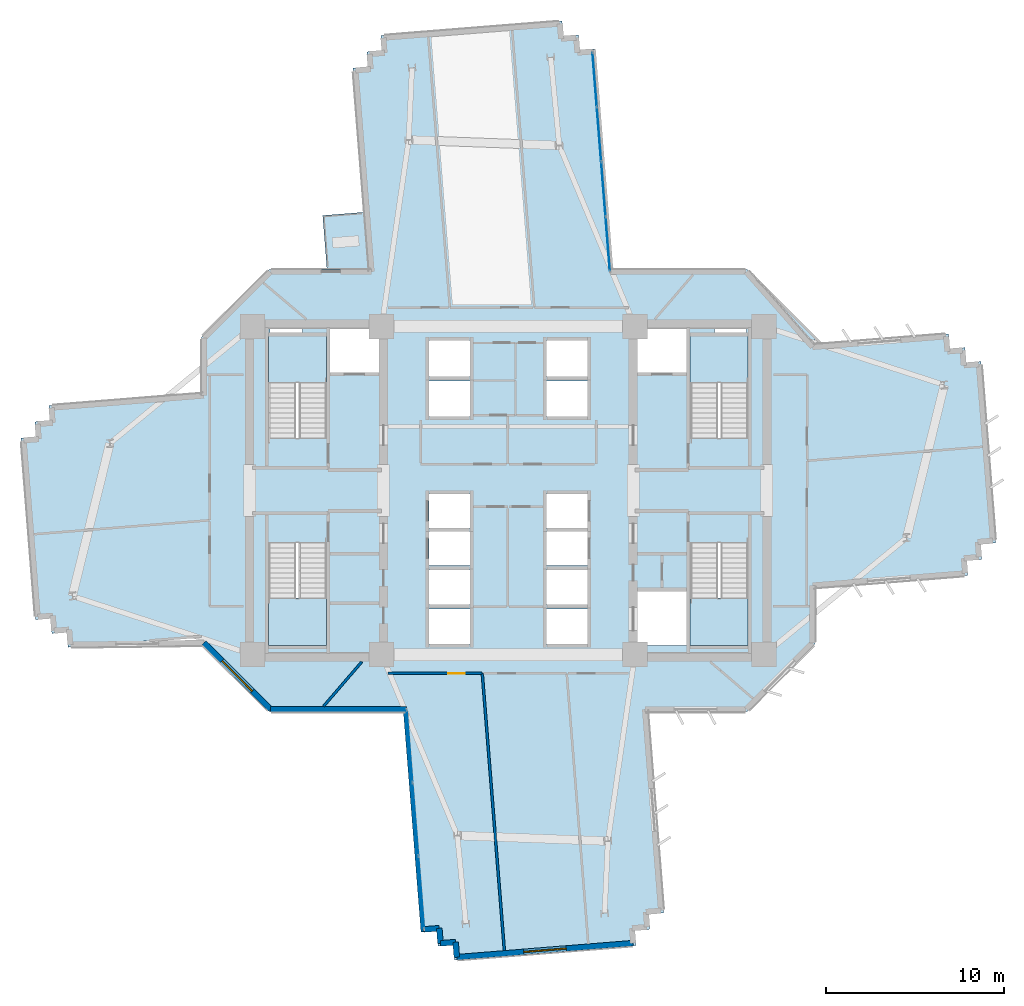
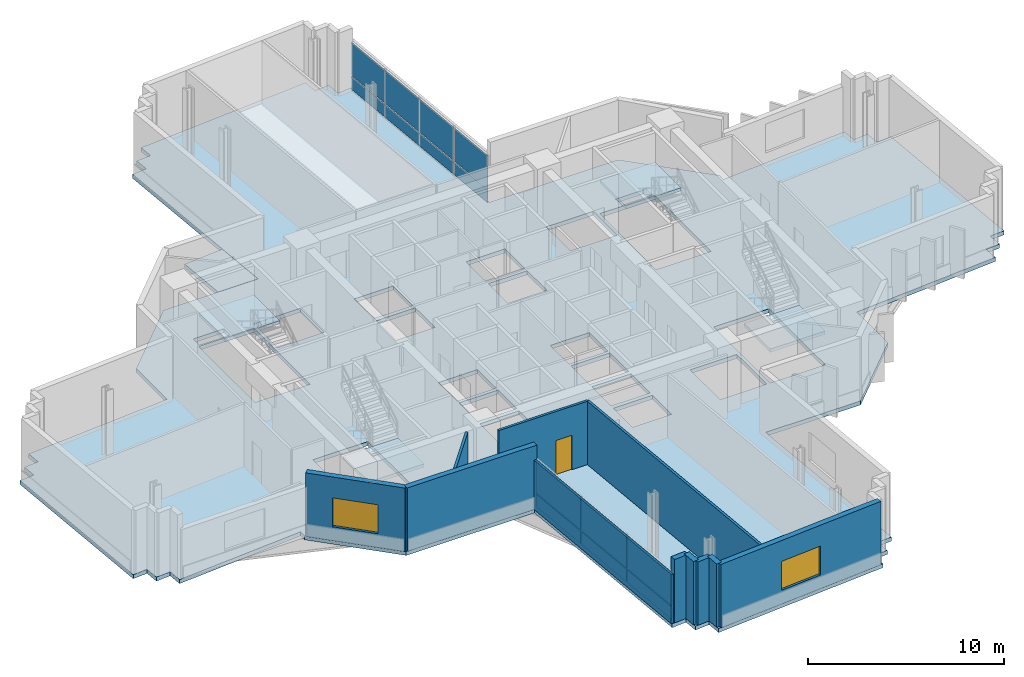
# One storey, part 5 of 15: 14 plates, 11 walls, 6 slabs, 2 windows, 1 door, 3 openings, 6 elements without a shape of their own.
"""IFC4 building model written with IfcOpenShell, lengths in metres."""

from ifc_helpers import new_model, si_unit, direction, frame, frame_2d, origin, origin_2d, place, context, subcontext, project, spatial, polyline, rectangle, outline, extrude, source, transform, mapped, material, layer, layer_set, type_object, element, fill, aggregate, save


model = new_model("IFC4")

# Units and contexts
model_context = context("Model", 3, precision=1e-05, world=origin(), true_north=direction((0.0, 1.0)))
body_context = subcontext(model_context, "Body", "Model", "MODEL_VIEW")
ifc_project = project(units=[si_unit("LENGTHUNIT", "METRE"), si_unit("AREAUNIT", "SQUARE_METRE"), si_unit("VOLUMEUNIT", "CUBIC_METRE"), si_unit("PLANEANGLEUNIT", "RADIAN"), si_unit("MASSUNIT", "GRAM", prefix="KILO")], contexts=[model_context])

# Site, building, storey
site_placement = place(None, origin())
site = spatial("IfcSite", under=ifc_project, at=site_placement, CompositionType="ELEMENT")
building_placement = place(site_placement, origin())
building = spatial("IfcBuilding", under=site, at=building_placement, Name="Zahravan Cultural Tower", CompositionType="ELEMENT")
storey_placement = place(building_placement, frame((0.0, 0.0, 87.89990234375)))
storey = spatial("IfcBuildingStorey", under=building, at=storey_placement, Name="L19", CompositionType="ELEMENT", Elevation=87.89990234375)

# Stair, slab
ifc_material_1 = material(Name="Concrete C45/55", Category="concrete")
stair_type = type_object("IfcStairType", Name="STR-DL-1550-420", PredefinedType="HALF_TURN_STAIR", material=ifc_material_1)
stair_1_placement = place(storey_placement, origin())
stair_1 = element("IfcStair", 1, at=stair_1_placement, inside=storey, type_object=stair_type, Name="L19 West Core North Exit Stair ST-W1", PredefinedType="HALF_TURN_STAIR")
ifc_layer_1 = layer(ifc_material_1, 0.199951171875)
ifc_layer_set_1 = layer_set([ifc_layer_1], Name="Concrete C45/55")
slab_type_1 = type_object("IfcSlabType", Name="SL-STAIR-LND200", PredefinedType="LANDING", material=ifc_layer_set_1)
slab_1_placement = place(storey_placement, frame((0.0, 0.0, 1.900146484375)))
slab_1 = element("IfcSlab", 2, at=slab_1_placement, type_object=slab_type_1, Name="ST-W1 landing 1", PredefinedType="LANDING", context=body_context, shape_type="SweptSolid", body=[
    extrude(outline(polyline([(25.800048828125, 33.030029296875), (25.800048828125, 35.699951171875), (22.550048828125, 35.699951171875), (22.550048828125, 33.030029296875), (25.800048828125, 33.030029296875)])), origin(), (0.0, 0.0, 1.0), 0.199951171875),
])
aggregate(stair_1, [slab_1])

stair_2_placement = place(storey_placement, origin())
stair_2 = element("IfcStair", 3, at=stair_2_placement, inside=storey, type_object=stair_type, Name="L19 West Core South Exit Stair ST-W2", PredefinedType="HALF_TURN_STAIR")
slab_2_placement = place(storey_placement, frame((0.0, 0.0, 1.900146484375)))
slab_2 = element("IfcSlab", 4, at=slab_2_placement, type_object=slab_type_1, Name="ST-W2 landing 1", PredefinedType="LANDING", context=body_context, shape_type="SweptSolid", body=[
    extrude(outline(polyline([(22.550048828125, 20.969970703125), (22.550048828125, 18.300048828125), (25.800048828125, 18.300048828125), (25.800048828125, 20.969970703125), (22.550048828125, 20.969970703125)])), origin(), (0.0, 0.0, 1.0), 0.199951171875),
])
aggregate(stair_2, [slab_2])

stair_3_placement = place(storey_placement, origin())
stair_3 = element("IfcStair", 5, at=stair_3_placement, inside=storey, type_object=stair_type, Name="L19 East Core North Exit Stair ST-E1", PredefinedType="HALF_TURN_STAIR")
slab_3_placement = place(storey_placement, frame((0.0, 0.0, 1.900146484375)))
slab_3 = element("IfcSlab", 6, at=slab_3_placement, type_object=slab_type_1, Name="ST-E1 landing 1", PredefinedType="LANDING", context=body_context, shape_type="SweptSolid", body=[
    extrude(outline(polyline([(49.449951171875, 33.030029296875), (49.449951171875, 35.699951171875), (46.199951171875, 35.699951171875), (46.199951171875, 33.030029296875), (49.449951171875, 33.030029296875)])), origin(), (0.0, 0.0, 1.0), 0.199951171875),
])
aggregate(stair_3, [slab_3])

stair_4_placement = place(storey_placement, origin())
stair_4 = element("IfcStair", 7, at=stair_4_placement, inside=storey, type_object=stair_type, Name="L19 East Core South Exit Stair ST-E2", PredefinedType="HALF_TURN_STAIR")
slab_4_placement = place(storey_placement, frame((0.0, 0.0, 1.900146484375)))
slab_4 = element("IfcSlab", 8, at=slab_4_placement, type_object=slab_type_1, Name="ST-E2 landing 1", PredefinedType="LANDING", context=body_context, shape_type="SweptSolid", body=[
    extrude(outline(polyline([(46.199951171875, 20.969970703125), (46.199951171875, 18.300048828125), (49.449951171875, 18.300048828125), (49.449951171875, 20.969970703125), (46.199951171875, 20.969970703125)])), origin(), (0.0, 0.0, 1.0), 0.199951171875),
])
aggregate(stair_4, [slab_4])

# Slabs
ifc_material_2 = material(Name="Concrete C40/50", Category="concrete")
ifc_layer_2 = layer(ifc_material_2, 0.239990234375)
ifc_layer_set_2 = layer_set([ifc_layer_2], Name="Concrete C40/50")
slab_type_2 = type_object("IfcSlabType", Name="SL-TERR-240", PredefinedType="FLOOR", material=ifc_layer_set_2)
slab_5_placement = place(storey_placement, frame((0.0, 0.0, -0.239990234375)))
element("IfcSlab", 9, at=slab_5_placement, inside=storey, type_object=slab_type_2, Name="L19 Planted Sculpture Terrace NW", PredefinedType="FLOOR", context=body_context, shape_type="SweptSolid", body=[
    extrude(outline(polyline([(25.591064453125, 42.42138671875), (25.83154296875, 39.405029296875), (28.18408203125, 39.405029296875), (27.9287109375, 42.607666015625), (25.591064453125, 42.42138671875)])), origin(), (0.0, 0.0, 1.0), 0.239990234375),
])
ifc_layer_3 = layer(ifc_material_2, 0.25)
ifc_layer_set_3 = layer_set([ifc_layer_3], Name="Concrete C40/50")
slab_type_3 = type_object("IfcSlabType", Name="SL-TYP-250", PredefinedType="FLOOR", material=ifc_layer_set_3)
slab_6_placement = place(storey_placement, frame((0.0, 0.0, -0.25)))
element("IfcSlab", 10, at=slab_6_placement, inside=storey, type_object=slab_type_3, Name="L19 Structural Floor Slab", PredefinedType="FLOOR", context=body_context, shape_type="SweptSolid", body=[
    extrude(outline(polyline([(53.199951171875, 35.193359375), (53.199951171875, 35.60009765625), (49.39990234375, 39.39990234375), (41.832763671875, 39.39990234375), (40.8466796875, 51.763671875), (39.999267578125, 51.696044921875), (39.931640625, 52.54345703125), (39.08447265625, 52.475830078125), (39.016845703125, 53.3232421875), (28.84912109375, 52.51220703125), (28.91650390625, 51.664794921875), (28.0693359375, 51.597412109375), (28.136962890625, 50.75), (27.28955078125, 50.6826171875), (28.189453125, 39.39990234375), (22.60009765625, 39.39990234375), (18.800048828125, 35.60009765625), (18.800048828125, 32.44970703125), (10.239501953125, 31.76708984375), (10.306884765625, 30.919677734375), (9.459716796875, 30.852294921875), (9.52734375, 30.0048828125), (8.679931640625, 29.937255859375), (9.490966796875, 19.76953125), (10.338134765625, 19.837158203125), (10.40576171875, 18.98974609375), (11.253173828125, 19.057373046875), (11.32080078125, 18.210205078125), (18.800048828125, 18.806640625), (18.800048828125, 18.39990234375), (22.60009765625, 14.60009765625), (30.167236328125, 14.60009765625), (31.1533203125, 2.236328125), (32.000732421875, 2.303955078125), (32.068359375, 1.45654296875), (32.91552734375, 1.524169921875), (32.983154296875, 0.6767578125), (43.15087890625, 1.48779296875), (43.08349609375, 2.335205078125), (43.9306640625, 2.402587890625), (43.863037109375, 3.25), (44.71044921875, 3.3173828125), (43.810546875, 14.60009765625), (49.39990234375, 14.60009765625), (53.199951171875, 18.39990234375), (53.199951171875, 21.55029296875), (61.760498046875, 22.23291015625), (61.693115234375, 23.080322265625), (62.540283203125, 23.147705078125), (62.47265625, 23.9951171875), (63.320068359375, 24.062744140625), (62.509033203125, 34.23046875), (61.661865234375, 34.162841796875), (61.59423828125, 35.01025390625), (60.746826171875, 34.942626953125), (60.67919921875, 35.789794921875), (53.199951171875, 35.193359375)]), holes=[polyline([(22.550048828125, 29.949951171875), (22.550048828125, 35.699951171875), (25.800048828125, 35.699951171875), (25.800048828125, 29.949951171875), (22.550048828125, 29.949951171875)]), polyline([(22.550048828125, 18.300048828125), (22.550048828125, 24.050048828125), (25.800048828125, 24.050048828125), (25.800048828125, 18.300048828125), (22.550048828125, 18.300048828125)]), polyline([(46.199951171875, 29.949951171875), (46.199951171875, 35.699951171875), (49.449951171875, 35.699951171875), (49.449951171875, 29.949951171875), (46.199951171875, 29.949951171875)]), polyline([(46.199951171875, 18.300048828125), (46.199951171875, 24.050048828125), (49.449951171875, 24.050048828125), (49.449951171875, 18.300048828125), (46.199951171875, 18.300048828125)]), polyline([(26.0, 33.60009765625), (26.0, 36.050048828125), (28.75, 36.050048828125), (28.75, 33.60009765625), (26.0, 33.60009765625)]), polyline([(43.25, 33.60009765625), (43.25, 36.050048828125), (46.0, 36.050048828125), (46.0, 33.60009765625), (43.25, 33.60009765625)]), polyline([(43.25, 18.300048828125), (43.25, 21.35009765625), (46.0, 21.35009765625), (46.0, 18.300048828125), (43.25, 18.300048828125)]), polyline([(31.550048828125, 33.39990234375), (31.550048828125, 35.39990234375), (33.85009765625, 35.39990234375), (33.85009765625, 33.39990234375), (31.550048828125, 33.39990234375)]), polyline([(31.550048828125, 31.14990234375), (31.550048828125, 33.14990234375), (33.85009765625, 33.14990234375), (33.85009765625, 31.14990234375), (31.550048828125, 31.14990234375)]), polyline([(38.14990234375, 33.39990234375), (38.14990234375, 35.39990234375), (40.449951171875, 35.39990234375), (40.449951171875, 33.39990234375), (38.14990234375, 33.39990234375)]), polyline([(38.14990234375, 31.14990234375), (38.14990234375, 33.14990234375), (40.449951171875, 33.14990234375), (40.449951171875, 31.14990234375), (38.14990234375, 31.14990234375)]), polyline([(31.550048828125, 20.60009765625), (31.550048828125, 22.550048828125), (33.85009765625, 22.550048828125), (33.85009765625, 20.60009765625), (31.550048828125, 20.60009765625)]), polyline([(31.550048828125, 18.39990234375), (31.550048828125, 20.35009765625), (33.85009765625, 20.35009765625), (33.85009765625, 18.39990234375), (31.550048828125, 18.39990234375)]), polyline([(38.14990234375, 20.60009765625), (38.14990234375, 22.550048828125), (40.449951171875, 22.550048828125), (40.449951171875, 20.60009765625), (38.14990234375, 20.60009765625)]), polyline([(38.14990234375, 18.39990234375), (38.14990234375, 20.35009765625), (40.449951171875, 20.35009765625), (40.449951171875, 18.39990234375), (38.14990234375, 18.39990234375)]), polyline([(31.550048828125, 24.89990234375), (31.550048828125, 26.800048828125), (33.85009765625, 26.800048828125), (33.85009765625, 24.89990234375), (31.550048828125, 24.89990234375)]), polyline([(31.550048828125, 22.800048828125), (31.550048828125, 24.699951171875), (33.85009765625, 24.699951171875), (33.85009765625, 22.800048828125), (31.550048828125, 22.800048828125)]), polyline([(38.14990234375, 24.89990234375), (38.14990234375, 26.800048828125), (40.449951171875, 26.800048828125), (40.449951171875, 24.89990234375), (38.14990234375, 24.89990234375)]), polyline([(38.14990234375, 22.800048828125), (38.14990234375, 24.699951171875), (40.449951171875, 24.699951171875), (40.449951171875, 22.800048828125), (38.14990234375, 22.800048828125)]), polyline([(22.64990234375, 35.800048828125), (22.64990234375, 36.419921875), (24.449951171875, 36.419921875), (24.449951171875, 35.800048828125), (22.64990234375, 35.800048828125)]), polyline([(47.550048828125, 35.800048828125), (47.550048828125, 36.419921875), (49.35009765625, 36.419921875), (49.35009765625, 35.800048828125), (47.550048828125, 35.800048828125)])]), origin(), (0.0, 0.0, 1.0), 0.25),
])

# Curtain wall, plates
ifc_material_3 = material(Name="Anodised bronze-aluminium mullion", Category="aluminium")
ifc_layer_4 = layer(ifc_material_3, 0.199951171875)
ifc_layer_set_4 = layer_set([ifc_layer_4], Name="Anodised bronze-aluminium mullion")
curtain_wall_type_1 = type_object("IfcCurtainWallType", Name="CW-SYS-2", PredefinedType="USERDEFINED", material=ifc_layer_set_4)
curtain_wall_1_placement = place(storey_placement, origin())
curtain_wall_1 = element("IfcCurtainWall", 11, at=curtain_wall_1_placement, inside=storey, type_object=curtain_wall_type_1, Name="L19 Recessed Curtain Wall CW-2.1", ObjectType="RECESSED GLAZING", PredefinedType="USERDEFINED")
ifc_material_4 = material(Name="Low-E solar-control double glazing", Category="glass")
ifc_layer_5 = layer(ifc_material_4, 0.030029296875)
ifc_layer_set_5 = layer_set([ifc_layer_5], Name="Low-E solar-control double glazing")
plate_type_1 = type_object("IfcPlateType", Name="CWP-CW-2", PredefinedType="CURTAIN_PANEL", material=ifc_layer_set_5)
shared_shape_1 = source(origin(), body_context, "Body", "SweptSolid", [
    extrude(rectangle(XDim=4.018310546875, YDim=0.030029296875, at=origin_2d()), origin(), (0.0, 0.0, 1.0), 0.78759765625),
])
plate_1_placement = place(storey_placement, frame((31.1162109375, 4.464599609375, 0.074951171875), z_axis=(0.0, 0.0, 1.0), x_axis=(-0.079501464817, 0.996834749139, 0.0)))
plate_1 = element("IfcPlate", 12, at=plate_1_placement, type_object=plate_type_1, Name="CW-2 panel 1.1", PredefinedType="CURTAIN_PANEL", context=body_context, shape_type="MappedRepresentation", body=[
    mapped(shared_shape_1, transform((0.0, 0.0, 0.0), x_axis=(1.0, 0.0, 0.0), y_axis=(0.0, 1.0, 0.0), z_axis=(0.0, 0.0, 1.0), scale=1.0)),
])
plate_2_placement = place(storey_placement, frame((30.46240234375, 12.66259765625, 0.074951171875), z_axis=(0.0, 0.0, 1.0), x_axis=(-0.079501464817, 0.996834749139, 0.0)))
plate_2 = element("IfcPlate", 13, at=plate_2_placement, type_object=plate_type_1, Name="CW-2 panel 3.1", PredefinedType="CURTAIN_PANEL", context=body_context, shape_type="MappedRepresentation", body=[
    mapped(shared_shape_1, transform((0.0, 0.0, 0.0), x_axis=(1.0, 0.0, 0.0), y_axis=(0.0, 1.0, 0.0), z_axis=(0.0, 0.0, 1.0), scale=1.0)),
])
shared_shape_2 = source(origin(), body_context, "Body", "SweptSolid", [
    extrude(rectangle(XDim=4.018310546875, YDim=0.030029296875, at=origin_2d()), origin(), (0.0, 0.0, 1.0), 2.0576171875),
])
plate_3_placement = place(storey_placement, frame((31.1162109375, 4.464599609375, 0.9375), z_axis=(0.0, 0.0, 1.0), x_axis=(-0.079501464817, 0.996834749139, 0.0)))
plate_3 = element("IfcPlate", 14, at=plate_3_placement, type_object=plate_type_1, Name="CW-2 panel 1.2", PredefinedType="CURTAIN_PANEL", context=body_context, shape_type="MappedRepresentation", body=[
    mapped(shared_shape_2, transform((0.0, 0.0, 0.0), x_axis=(1.0, 0.0, 0.0), y_axis=(0.0, 1.0, 0.0), z_axis=(0.0, 0.0, 1.0), scale=1.0)),
])
plate_4_placement = place(storey_placement, frame((30.46240234375, 12.66259765625, 0.9375), z_axis=(0.0, 0.0, 1.0), x_axis=(-0.079501464817, 0.996834749139, 0.0)))
plate_4 = element("IfcPlate", 15, at=plate_4_placement, type_object=plate_type_1, Name="CW-2 panel 3.2", PredefinedType="CURTAIN_PANEL", context=body_context, shape_type="MappedRepresentation", body=[
    mapped(shared_shape_2, transform((0.0, 0.0, 0.0), x_axis=(1.0, 0.0, 0.0), y_axis=(0.0, 1.0, 0.0), z_axis=(0.0, 0.0, 1.0), scale=1.0)),
])
shared_shape_3 = source(origin(), body_context, "Body", "SweptSolid", [
    extrude(rectangle(XDim=4.0556640625, YDim=0.030029296875, at=origin_2d()), origin(), (0.0, 0.0, 1.0), 0.78759765625),
])
plate_5_placement = place(storey_placement, frame((30.789306640625, 8.5634765625, 0.074951171875), z_axis=(0.0, 0.0, 1.0), x_axis=(-0.079501464817, 0.996834749139, 0.0)))
plate_5 = element("IfcPlate", 16, at=plate_5_placement, type_object=plate_type_1, Name="CW-2 panel 2.1", PredefinedType="CURTAIN_PANEL", context=body_context, shape_type="MappedRepresentation", body=[
    mapped(shared_shape_3, transform((0.0, 0.0, 0.0), x_axis=(1.0, 0.0, 0.0), y_axis=(0.0, 1.0, 0.0), z_axis=(0.0, 0.0, 1.0), scale=1.0)),
])
shared_shape_4 = source(origin(), body_context, "Body", "SweptSolid", [
    extrude(rectangle(XDim=4.0556640625, YDim=0.030029296875, at=origin_2d()), origin(), (0.0, 0.0, 1.0), 2.0576171875),
])
plate_6_placement = place(storey_placement, frame((30.789306640625, 8.5634765625, 0.9375), z_axis=(0.0, 0.0, 1.0), x_axis=(-0.079501464817, 0.996834749139, 0.0)))
plate_6 = element("IfcPlate", 17, at=plate_6_placement, type_object=plate_type_1, Name="CW-2 panel 2.2", PredefinedType="CURTAIN_PANEL", context=body_context, shape_type="MappedRepresentation", body=[
    mapped(shared_shape_4, transform((0.0, 0.0, 0.0), x_axis=(1.0, 0.0, 0.0), y_axis=(0.0, 1.0, 0.0), z_axis=(0.0, 0.0, 1.0), scale=1.0)),
])
aggregate(curtain_wall_1, [plate_1, plate_3, plate_5, plate_6, plate_2, plate_4])

ifc_layer_6 = layer(ifc_material_3, 0.179931640625)
ifc_layer_set_6 = layer_set([ifc_layer_6], Name="Anodised bronze-aluminium mullion")
curtain_wall_type_2 = type_object("IfcCurtainWallType", Name="CW-SYS-3", PredefinedType="USERDEFINED", material=ifc_layer_set_6)
curtain_wall_2_placement = place(storey_placement, origin())
curtain_wall_2 = element("IfcCurtainWall", 18, at=curtain_wall_2_placement, inside=storey, type_object=curtain_wall_type_2, Name="L19 Recessed Curtain Wall CW-3.2", ObjectType="RECESSED GLAZING", PredefinedType="USERDEFINED")
ifc_layer_7 = layer(ifc_material_4, 0.028076171875)
ifc_layer_set_7 = layer_set([ifc_layer_7], Name="Low-E solar-control double glazing")
plate_type_2 = type_object("IfcPlateType", Name="CWP-CW-3", PredefinedType="CURTAIN_PANEL", material=ifc_layer_set_7)
shared_shape_5 = source(origin(), body_context, "Body", "SweptSolid", [
    extrude(rectangle(XDim=2.9931640625, YDim=0.028076171875, at=origin_2d()), origin(), (0.0, 0.0, 1.0), 0.794921875),
])
plate_7_placement = place(storey_placement, frame((40.8427734375, 50.051513671875, 0.070068359375), z_axis=(0.0, 0.0, 1.0), x_axis=(0.079501464817, -0.996834749139, 0.0)))
plate_7 = element("IfcPlate", 19, at=plate_7_placement, type_object=plate_type_2, Name="CW-3 panel 1.1", PredefinedType="CURTAIN_PANEL", context=body_context, shape_type="MappedRepresentation", body=[
    mapped(shared_shape_5, transform((0.0, 0.0, 0.0), x_axis=(1.0, 0.0, 0.0), y_axis=(0.0, 1.0, 0.0), z_axis=(0.0, 0.0, 1.0), scale=1.0)),
])
plate_8_placement = place(storey_placement, frame((41.578857421875, 40.821533203125, 0.070068359375), z_axis=(0.0, 0.0, 1.0), x_axis=(0.079501464817, -0.996834749139, 0.0)))
plate_8 = element("IfcPlate", 20, at=plate_8_placement, type_object=plate_type_2, Name="CW-3 panel 4.1", PredefinedType="CURTAIN_PANEL", context=body_context, shape_type="MappedRepresentation", body=[
    mapped(shared_shape_5, transform((0.0, 0.0, 0.0), x_axis=(1.0, 0.0, 0.0), y_axis=(0.0, 1.0, 0.0), z_axis=(0.0, 0.0, 1.0), scale=1.0)),
])
shared_shape_6 = source(origin(), body_context, "Body", "SweptSolid", [
    extrude(rectangle(XDim=2.9931640625, YDim=0.028076171875, at=origin_2d()), origin(), (0.0, 0.0, 1.0), 2.06494140625),
])
plate_9_placement = place(storey_placement, frame((40.8427734375, 50.051513671875, 0.93505859375), z_axis=(0.0, 0.0, 1.0), x_axis=(0.079501464817, -0.996834749139, 0.0)))
plate_9 = element("IfcPlate", 21, at=plate_9_placement, type_object=plate_type_2, Name="CW-3 panel 1.2", PredefinedType="CURTAIN_PANEL", context=body_context, shape_type="MappedRepresentation", body=[
    mapped(shared_shape_6, transform((0.0, 0.0, 0.0), x_axis=(1.0, 0.0, 0.0), y_axis=(0.0, 1.0, 0.0), z_axis=(0.0, 0.0, 1.0), scale=1.0)),
])
plate_10_placement = place(storey_placement, frame((41.578857421875, 40.821533203125, 0.93505859375), z_axis=(0.0, 0.0, 1.0), x_axis=(0.079501464817, -0.996834749139, 0.0)))
plate_10 = element("IfcPlate", 22, at=plate_10_placement, type_object=plate_type_2, Name="CW-3 panel 4.2", PredefinedType="CURTAIN_PANEL", context=body_context, shape_type="MappedRepresentation", body=[
    mapped(shared_shape_6, transform((0.0, 0.0, 0.0), x_axis=(1.0, 0.0, 0.0), y_axis=(0.0, 1.0, 0.0), z_axis=(0.0, 0.0, 1.0), scale=1.0)),
])
shared_shape_7 = source(origin(), body_context, "Body", "SweptSolid", [
    extrude(rectangle(XDim=3.028076171875, YDim=0.028076171875, at=origin_2d()), origin(), (0.0, 0.0, 1.0), 0.794921875),
])
plate_11_placement = place(storey_placement, frame((41.087646484375, 46.980712890625, 0.070068359375), z_axis=(0.0, 0.0, 1.0), x_axis=(0.079501464817, -0.996834749139, 0.0)))
plate_11 = element("IfcPlate", 23, at=plate_11_placement, type_object=plate_type_2, Name="CW-3 panel 2.1", PredefinedType="CURTAIN_PANEL", context=body_context, shape_type="MappedRepresentation", body=[
    mapped(shared_shape_7, transform((0.0, 0.0, 0.0), x_axis=(1.0, 0.0, 0.0), y_axis=(0.0, 1.0, 0.0), z_axis=(0.0, 0.0, 1.0), scale=1.0)),
])
plate_12_placement = place(storey_placement, frame((41.333984375, 43.892333984375, 0.070068359375), z_axis=(0.0, 0.0, 1.0), x_axis=(0.079501464817, -0.996834749139, 0.0)))
plate_12 = element("IfcPlate", 24, at=plate_12_placement, type_object=plate_type_2, Name="CW-3 panel 3.1", PredefinedType="CURTAIN_PANEL", context=body_context, shape_type="MappedRepresentation", body=[
    mapped(shared_shape_7, transform((0.0, 0.0, 0.0), x_axis=(1.0, 0.0, 0.0), y_axis=(0.0, 1.0, 0.0), z_axis=(0.0, 0.0, 1.0), scale=1.0)),
])
shared_shape_8 = source(origin(), body_context, "Body", "SweptSolid", [
    extrude(rectangle(XDim=3.028076171875, YDim=0.028076171875, at=origin_2d()), origin(), (0.0, 0.0, 1.0), 2.06494140625),
])
plate_13_placement = place(storey_placement, frame((41.087646484375, 46.980712890625, 0.93505859375), z_axis=(0.0, 0.0, 1.0), x_axis=(0.079501464817, -0.996834749139, 0.0)))
plate_13 = element("IfcPlate", 25, at=plate_13_placement, type_object=plate_type_2, Name="CW-3 panel 2.2", PredefinedType="CURTAIN_PANEL", context=body_context, shape_type="MappedRepresentation", body=[
    mapped(shared_shape_8, transform((0.0, 0.0, 0.0), x_axis=(1.0, 0.0, 0.0), y_axis=(0.0, 1.0, 0.0), z_axis=(0.0, 0.0, 1.0), scale=1.0)),
])
plate_14_placement = place(storey_placement, frame((41.333984375, 43.892333984375, 0.93505859375), z_axis=(0.0, 0.0, 1.0), x_axis=(0.079501464817, -0.996834749139, 0.0)))
plate_14 = element("IfcPlate", 26, at=plate_14_placement, type_object=plate_type_2, Name="CW-3 panel 3.2", PredefinedType="CURTAIN_PANEL", context=body_context, shape_type="MappedRepresentation", body=[
    mapped(shared_shape_8, transform((0.0, 0.0, 0.0), x_axis=(1.0, 0.0, 0.0), y_axis=(0.0, 1.0, 0.0), z_axis=(0.0, 0.0, 1.0), scale=1.0)),
])
aggregate(curtain_wall_2, [plate_7, plate_9, plate_11, plate_13, plate_12, plate_14, plate_8, plate_10])

# Wall, opening, window
ifc_material_5 = material(Name="Precast concrete C40/50", Category="concrete")
ifc_layer_8 = layer(ifc_material_5, 0.320068359375)
ifc_layer_set_8 = layer_set([ifc_layer_8], Name="Precast concrete C40/50")
wall_type_1 = type_object("IfcWallType", Name="EW-TC-320", PredefinedType="SOLIDWALL", material=ifc_layer_set_8)
wall_1_placement = place(storey_placement, frame((43.000244140625, 1.6162109375, 0.0), z_axis=(0.0, 0.0, 1.0), x_axis=(-0.996833485558, -0.079517306731, 0.0)))
wall_1 = element("IfcWall", 27, at=wall_1_placement, inside=storey, type_object=wall_type_1, Name="L19 Exterior Masonry Frame Wall 20", PredefinedType="SOLIDWALL", context=body_context, shape_type="SweptSolid", body=[
    extrude(rectangle(XDim=9.920166015625, YDim=0.320068359375, at=frame_2d((4.9599609375, 0.0))), origin(), (0.0, 0.0, 1.0), 3.9501953125),
])
opening_1_placement = place(wall_1_placement, frame((3.760009765625, 0.0, 0.85009765625)))
opening_1 = element("IfcOpeningElement", 28, at=opening_1_placement, cuts=wall_1, Name="Opening WN-01", PredefinedType="OPENING", context=body_context, shape_type="SweptSolid", body=[
    extrude(rectangle(XDim=2.39990234375, YDim=1.800048828125, at=frame_2d((1.199951171875, 0.89990234375))), frame((0.0, 0.169921875, 0.0), z_axis=(0.0, -1.0, 0.0), x_axis=(1.0, 0.0, 0.0)), (0.0, 0.0, 1.0), 0.340087890625),
])
window_type = type_object("IfcWindowType", Name="WN-REC-2400X1800", PartitioningType="DOUBLE_PANEL_VERTICAL", PredefinedType="WINDOW", material=ifc_material_4)
shared_shape_9 = source(origin(), body_context, "Body", "SweptSolid", [
    extrude(rectangle(XDim=2.39990234375, YDim=1.800048828125, at=frame_2d((1.199951171875, 0.89990234375))), frame((0.0, 0.030029296875, 0.0), z_axis=(0.0, -1.0, 0.0), x_axis=(1.0, 0.0, 0.0)), (0.0, 0.0, 1.0), 0.06005859375),
])
window_1_placement = place(opening_1_placement, origin())
window_1 = element("IfcWindow", 29, at=window_1_placement, inside=storey, type_object=window_type, Name="L19 Recessed Solar Window 06", OverallHeight=1.800048828125, OverallWidth=2.39990234375, PartitioningType="DOUBLE_PANEL_VERTICAL", PredefinedType="WINDOW", context=body_context, shape_type="MappedRepresentation", body=[
    mapped(shared_shape_9, transform((0.0, 0.0, 0.0), x_axis=(1.0, 0.0, 0.0), y_axis=(0.0, 1.0, 0.0), z_axis=(0.0, 0.0, 1.0), scale=1.0)),
])
fill(opening_1, window_1)

wall_2_placement = place(storey_placement, frame((22.657958984375, 14.739990234375, 0.0), z_axis=(0.0, 0.0, 1.0), x_axis=(-0.707106781187, 0.707106781187, 0.0)))
wall_2 = element("IfcWall", 30, at=wall_2_placement, inside=storey, type_object=wall_type_1, Name="L19 Exterior Masonry Frame Wall 26", PredefinedType="SOLIDWALL", context=body_context, shape_type="SweptSolid", body=[
    extrude(rectangle(XDim=5.258056640625, YDim=0.320068359375, at=frame_2d((2.62890625, 0.0))), origin(), (0.0, 0.0, 1.0), 3.9501953125),
])
opening_2_placement = place(wall_2_placement, frame((1.428955078125, 0.0, 0.85009765625)))
opening_2 = element("IfcOpeningElement", 31, at=opening_2_placement, cuts=wall_2, Name="Opening WN-01", PredefinedType="OPENING", context=body_context, shape_type="SweptSolid", body=[
    extrude(rectangle(XDim=2.39990234375, YDim=1.800048828125, at=frame_2d((1.199951171875, 0.89990234375))), frame((0.0, 0.169921875, 0.0), z_axis=(0.0, -1.0, 0.0), x_axis=(1.0, 0.0, 0.0)), (0.0, 0.0, 1.0), 0.340087890625),
])
window_2_placement = place(opening_2_placement, origin())
window_2 = element("IfcWindow", 32, at=window_2_placement, inside=storey, type_object=window_type, Name="L19 Recessed Solar Window 07", OverallHeight=1.800048828125, OverallWidth=2.39990234375, PartitioningType="DOUBLE_PANEL_VERTICAL", PredefinedType="WINDOW", context=body_context, shape_type="MappedRepresentation", body=[
    mapped(shared_shape_9, transform((0.0, 0.0, 0.0), x_axis=(1.0, 0.0, 0.0), y_axis=(0.0, 1.0, 0.0), z_axis=(0.0, 0.0, 1.0), scale=1.0)),
])
fill(opening_2, window_2)

# Wall, opening, door
ifc_material_6 = material(Name="Gypsum plasterboard partition")
ifc_layer_9 = layer(ifc_material_6, 0.139892578125)
ifc_layer_set_9 = layer_set([ifc_layer_9], Name="Gypsum plasterboard partition")
wall_type_2 = type_object("IfcWallType", Name="W-PART-140", PredefinedType="PARTITIONING", material=ifc_layer_set_9)
wall_3_placement = place(storey_placement, frame((29.257568359375, 16.740234375, 0.0), z_axis=(0.0, 0.0, 1.0), x_axis=(0.999999998924, -4.6384341e-05, 0.0)))
wall_3 = element("IfcWall", 33, at=wall_3_placement, inside=storey, type_object=wall_type_2, Name="L19 Interior Wall 099", PredefinedType="PARTITIONING", context=body_context, shape_type="SweptSolid", body=[
    extrude(rectangle(XDim=5.263427734375, YDim=0.139892578125, at=frame_2d((2.6318359375, 0.0))), origin(), (0.0, 0.0, 1.0), 3.9501953125),
])
opening_3_placement = place(wall_3_placement, frame((3.364501953125, 0.0, 0.0)))
opening_3 = element("IfcOpeningElement", 34, at=opening_3_placement, cuts=wall_3, Name="Opening D-L19-26", PredefinedType="OPENING", context=body_context, shape_type="SweptSolid", body=[
    extrude(rectangle(XDim=0.949951171875, YDim=2.14990234375, at=frame_2d((0.47509765625, 1.074951171875))), frame((0.0, 0.079833984375, 0.0), z_axis=(0.0, -1.0, 0.0), x_axis=(1.0, 0.0, 0.0)), (0.0, 0.0, 1.0), 0.159912109375),
])
door_type = type_object("IfcDoorType", Name="DR-ROOM-950", OperationType="NOTDEFINED", PredefinedType="DOOR", material=ifc_material_3)
shared_shape_10 = source(origin(), body_context, "Body", "SweptSolid", [
    extrude(rectangle(XDim=0.949951171875, YDim=2.14990234375, at=frame_2d((0.47509765625, 1.074951171875))), frame((0.0, 0.02490234375, 0.0), z_axis=(0.0, -1.0, 0.0), x_axis=(1.0, 0.0, 0.0)), (0.0, 0.0, 1.0), 0.050048828125),
])
door_placement = place(opening_3_placement, origin())
door = element("IfcDoor", 35, at=door_placement, inside=storey, type_object=door_type, Name="L19 Door D-L19-26", OperationType="SINGLE_SWING_RIGHT", OverallHeight=2.14990234375, OverallWidth=0.949951171875, PredefinedType="DOOR", context=body_context, shape_type="MappedRepresentation", body=[
    mapped(shared_shape_10, transform((0.0, 0.0, 0.0), x_axis=(1.0, 0.0, 0.0), y_axis=(0.0, 1.0, 0.0), z_axis=(0.0, 0.0, 1.0), scale=1.0)),
])
fill(opening_3, door)

# Walls
shared_shape_11 = source(origin(), body_context, "Body", "SweptSolid", [
    extrude(rectangle(XDim=0.85009765625, YDim=0.320068359375, at=frame_2d((0.425048828125, 0.0))), origin(), (0.0, 0.0, 1.0), 3.9501953125),
])
for number, where, z_axis, x_axis, name in (
    (36, (33.111572265625, 0.827392578125, 0.0), (0.0, 0.0, 1.0), (-0.079551174585, 0.996830783344, 0.0), "L19 Exterior Masonry Frame Wall 21"),
    (37, (32.129150390625, 2.45458984375, 0.0), (0.0, 0.0, 1.0), (-0.996830783344, -0.079551174585, 0.0), "L19 Exterior Masonry Frame Wall 24"),
):
    element("IfcWall", number, at=place(storey_placement, frame(where, z_axis=z_axis, x_axis=x_axis)), inside=storey, type_object=wall_type_1, Name=name, PredefinedType="SOLIDWALL", context=body_context, shape_type="MappedRepresentation", body=[
        mapped(shared_shape_11, transform((0.0, 0.0, 0.0), x_axis=(1.0, 0.0, 0.0), y_axis=(0.0, 1.0, 0.0), z_axis=(0.0, 0.0, 1.0), scale=1.0)),
    ])
shared_shape_12 = source(origin(), body_context, "Body", "SweptSolid", [
    extrude(rectangle(XDim=0.849853515625, YDim=0.320068359375, at=frame_2d((0.4248046875, 0.0))), origin(), (0.0, 0.0, 1.0), 3.9501953125),
])
for number, where, z_axis, x_axis, name in (
    (38, (33.0439453125, 1.6748046875, 0.0), (0.0, 0.0, 1.0), (-0.996851711541, -0.079288493483, 0.0), "L19 Exterior Masonry Frame Wall 22"),
    (39, (32.19677734375, 1.607421875, 0.0), (0.0, 0.0, 1.0), (-0.079573954853, 0.996828965123, 0.0), "L19 Exterior Masonry Frame Wall 23"),
):
    element("IfcWall", number, at=place(storey_placement, frame(where, z_axis=z_axis, x_axis=x_axis)), inside=storey, type_object=wall_type_1, Name=name, PredefinedType="SOLIDWALL", context=body_context, shape_type="MappedRepresentation", body=[
        mapped(shared_shape_12, transform((0.0, 0.0, 0.0), x_axis=(1.0, 0.0, 0.0), y_axis=(0.0, 1.0, 0.0), z_axis=(0.0, 0.0, 1.0), scale=1.0)),
    ])
shared_shape_13 = source(origin(), body_context, "Body", "SweptSolid", [
    extrude(rectangle(XDim=7.638671875, YDim=0.320068359375, at=frame_2d((3.8193359375, 0.0))), origin(), (0.0, 0.0, 1.0), 3.9501953125),
])
wall_4_placement = place(storey_placement, frame((30.296630859375, 14.739990234375, 0.0), z_axis=(0.0, 0.0, 1.0), x_axis=(-1.0, 0.0, 0.0)))
element("IfcWall", 40, at=wall_4_placement, inside=storey, type_object=wall_type_1, Name="L19 Exterior Masonry Frame Wall 25", PredefinedType="SOLIDWALL", context=body_context, shape_type="MappedRepresentation", body=[
    mapped(shared_shape_13, transform((0.0, 0.0, 0.0), x_axis=(1.0, 0.0, 0.0), y_axis=(0.0, 1.0, 0.0), z_axis=(0.0, 0.0, 1.0), scale=1.0)),
])
shared_shape_14 = source(origin(), body_context, "Body", "SweptSolid", [
    extrude(rectangle(XDim=15.58349609375, YDim=0.139892578125, at=frame_2d((7.791748046875, 0.0))), origin(), (0.0, 0.0, 1.0), 3.9501953125),
])
wall_5_placement = place(storey_placement, frame((35.780029296875, 1.205810546875, 0.0), z_axis=(0.0, 0.0, 1.0), x_axis=(-0.079507979427, 0.996834229552, 0.0)))
element("IfcWall", 41, at=wall_5_placement, inside=storey, type_object=wall_type_2, Name="L19 Interior Wall 088", PredefinedType="PARTITIONING", context=body_context, shape_type="MappedRepresentation", body=[
    mapped(shared_shape_14, transform((0.0, 0.0, 0.0), x_axis=(1.0, 0.0, 0.0), y_axis=(0.0, 1.0, 0.0), z_axis=(0.0, 0.0, 1.0), scale=1.0)),
])
shared_shape_15 = source(origin(), body_context, "Body", "SweptSolid", [
    extrude(rectangle(XDim=12.356201171875, YDim=0.139892578125, at=frame_2d((6.17822265625, 0.0))), origin(), (0.0, 0.0, 1.0), 3.080078125),
])
wall_6_placement = place(storey_placement, frame((31.171875, 2.2578125, 0.0), z_axis=(0.0, 0.0, 1.0), x_axis=(-0.079527689156, 0.996832657299, 0.0)))
element("IfcWall", 42, at=wall_6_placement, inside=storey, type_object=wall_type_2, Name="L19 Interior Wall 100", PredefinedType="PARTITIONING", context=body_context, shape_type="MappedRepresentation", body=[
    mapped(shared_shape_15, transform((0.0, 0.0, 0.0), x_axis=(1.0, 0.0, 0.0), y_axis=(0.0, 1.0, 0.0), z_axis=(0.0, 0.0, 1.0), scale=1.0)),
])
shared_shape_16 = source(origin(), body_context, "Body", "SweptSolid", [
    extrude(rectangle(XDim=3.2900390625, YDim=0.139892578125, at=frame_2d((1.64501953125, 0.0))), origin(), (0.0, 0.0, 1.0), 3.9501953125),
])
wall_7_placement = place(storey_placement, frame((25.640380859375, 14.901123046875, 0.0), z_axis=(0.0, 0.0, 1.0), x_axis=(0.652214149627, 0.758034763732, 0.0)))
element("IfcWall", 43, at=wall_7_placement, inside=storey, type_object=wall_type_2, Name="L19 Interior Wall 101", PredefinedType="PARTITIONING", context=body_context, shape_type="MappedRepresentation", body=[
    mapped(shared_shape_16, transform((0.0, 0.0, 0.0), x_axis=(1.0, 0.0, 0.0), y_axis=(0.0, 1.0, 0.0), z_axis=(0.0, 0.0, 1.0), scale=1.0)),
])

save(model, "model.ifc")
